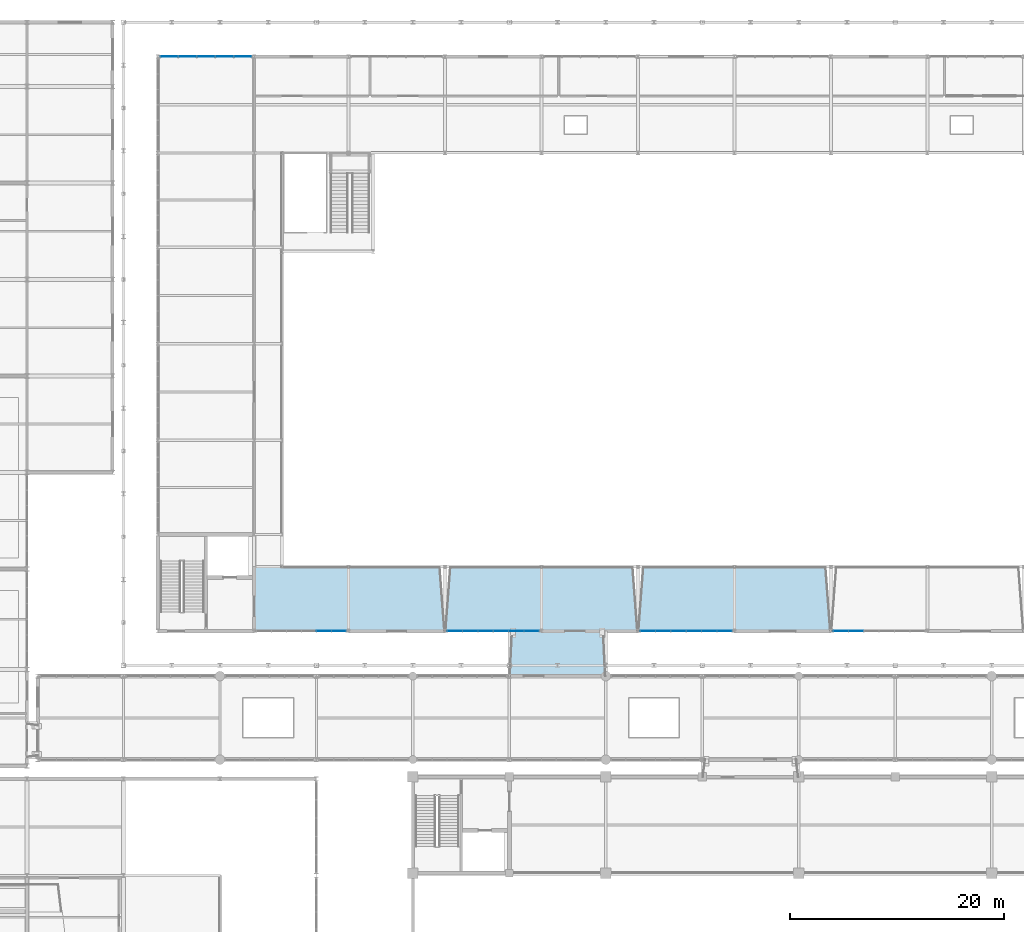
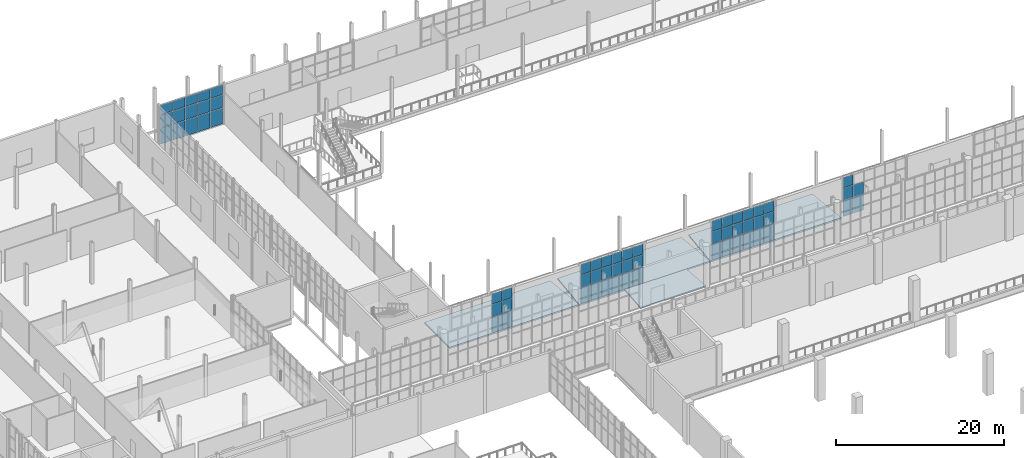
# One storey, part 105 of 159: 62 plates, 4 slabs, 5 elements without a shape of their own.
"""IFC4 building model written with IfcOpenShell, lengths in metres."""

from ifc_helpers import new_model, si_unit, direction, frame, origin, origin_2d, place, context, subcontext, project, spatial, polyline, rectangle, outline, extrude, material, layer, layer_set, type_object, element, aggregate, save


model = new_model("IFC4")

# Units and contexts
model_context = context("Model", 3, precision=1e-05, world=origin(), true_north=direction((0.0, 1.0)))
body_context = subcontext(model_context, "Body", "Model", "MODEL_VIEW")
ifc_project = project(units=[si_unit("LENGTHUNIT", "METRE"), si_unit("AREAUNIT", "SQUARE_METRE"), si_unit("VOLUMEUNIT", "CUBIC_METRE"), si_unit("PLANEANGLEUNIT", "RADIAN"), si_unit("MASSUNIT", "GRAM", prefix="KILO")], contexts=[model_context])

# Site, building, storey
site_placement = place(None, origin())
site = spatial("IfcSite", under=ifc_project, at=site_placement, CompositionType="ELEMENT")
building_placement = place(site_placement, origin())
building = spatial("IfcBuilding", under=site, at=building_placement, Name="Cazmaro Siding Exhibition Halls", CompositionType="ELEMENT")
storey_placement = place(building_placement, frame((0.0, 0.0, 6.0)))
storey = spatial("IfcBuildingStorey", under=building, at=storey_placement, Name="L01", CompositionType="ELEMENT", Elevation=6.0)

# Curtain wall, plates
ifc_material_1 = material(Name="Anodized Bronze Aluminum and Solar-Control Low-E Glazing", Category="aluminium")
ifc_layer_1 = layer(ifc_material_1, 0.179931640625)
ifc_layer_set_1 = layer_set([ifc_layer_1], Name="Anodized Bronze Aluminum and Solar-Control Low-E Glazing")
curtain_wall_type_1 = type_object("IfcCurtainWallType", Name="CWS-01", PredefinedType="USERDEFINED", material=ifc_layer_set_1)
curtain_wall_1_placement = place(storey_placement, origin())
curtain_wall_1 = element("IfcCurtainWall", 1, at=curtain_wall_1_placement, inside=storey, type_object=curtain_wall_type_1, Name="Glazed Curtain Wall CWS-01 CW-004", ObjectType="GLAZED CURTAIN WALL", PredefinedType="USERDEFINED")
ifc_material_2 = material(Name="Solar-Control Low-E Double Insulating Glass", Category="glass")
ifc_layer_2 = layer(ifc_material_2, 0.02392578125)
ifc_layer_set_2 = layer_set([ifc_layer_2], Name="Solar-Control Low-E Double Insulating Glass")
plate_type_1 = type_object("IfcPlateType", Name="CWP-01", PredefinedType="CURTAIN_PANEL", material=ifc_layer_set_2)
plate_1_placement = place(storey_placement, frame((63.701416015625, 67.199951171875, 0.06005859375), z_axis=(0.0, 0.0, 1.0), x_axis=(1.0, 0.0, 0.0)))
plate_1 = element("IfcPlate", 2, at=plate_1_placement, type_object=plate_type_1, Name="CWS-01 panel 5.1", PredefinedType="CURTAIN_PANEL", context=body_context, shape_type="SweptSolid", body=[
    extrude(rectangle(XDim=1.341064453125, YDim=0.02392578125, at=origin_2d()), origin(), (0.0, 0.0, 1.0), 2.31005859375),
])
plate_2_placement = place(storey_placement, frame((63.701416015625, 67.199951171875, 2.43017578125), z_axis=(0.0, 0.0, 1.0), x_axis=(1.0, 0.0, 0.0)))
plate_2 = element("IfcPlate", 3, at=plate_2_placement, type_object=plate_type_1, Name="CWS-01 panel 5.2", PredefinedType="CURTAIN_PANEL", context=body_context, shape_type="SweptSolid", body=[
    extrude(rectangle(XDim=1.341064453125, YDim=0.02392578125, at=origin_2d()), origin(), (0.0, 0.0, 1.0), 1.739990234375),
])
plate_3_placement = place(storey_placement, frame((63.701416015625, 67.199951171875, 4.22998046875), z_axis=(0.0, 0.0, 1.0), x_axis=(1.0, 0.0, 0.0)))
plate_3 = element("IfcPlate", 4, at=plate_3_placement, type_object=plate_type_1, Name="CWS-01 panel 5.3", PredefinedType="CURTAIN_PANEL", context=body_context, shape_type="SweptSolid", body=[
    extrude(rectangle(XDim=1.341064453125, YDim=0.02392578125, at=origin_2d()), origin(), (0.0, 0.0, 1.0), 1.489990234375),
])
plate_4_placement = place(storey_placement, frame((65.08740234375, 67.199951171875, 0.06005859375), z_axis=(0.0, 0.0, 1.0), x_axis=(1.0, 0.0, 0.0)))
plate_4 = element("IfcPlate", 5, at=plate_4_placement, type_object=plate_type_1, Name="CWS-01 panel 6.1", PredefinedType="CURTAIN_PANEL", context=body_context, shape_type="SweptSolid", body=[
    extrude(rectangle(XDim=1.31103515625, YDim=0.02392578125, at=origin_2d()), origin(), (0.0, 0.0, 1.0), 2.31005859375),
])
plate_5_placement = place(storey_placement, frame((65.08740234375, 67.199951171875, 2.43017578125), z_axis=(0.0, 0.0, 1.0), x_axis=(1.0, 0.0, 0.0)))
plate_5 = element("IfcPlate", 6, at=plate_5_placement, type_object=plate_type_1, Name="CWS-01 panel 6.2", PredefinedType="CURTAIN_PANEL", context=body_context, shape_type="SweptSolid", body=[
    extrude(rectangle(XDim=1.31103515625, YDim=0.02392578125, at=origin_2d()), origin(), (0.0, 0.0, 1.0), 1.739990234375),
])
plate_6_placement = place(storey_placement, frame((65.08740234375, 67.199951171875, 4.22998046875), z_axis=(0.0, 0.0, 1.0), x_axis=(1.0, 0.0, 0.0)))
plate_6 = element("IfcPlate", 7, at=plate_6_placement, type_object=plate_type_1, Name="CWS-01 panel 6.3", PredefinedType="CURTAIN_PANEL", context=body_context, shape_type="SweptSolid", body=[
    extrude(rectangle(XDim=1.31103515625, YDim=0.02392578125, at=origin_2d()), origin(), (0.0, 0.0, 1.0), 1.489990234375),
])
aggregate(curtain_wall_1, [plate_1, plate_2, plate_3, plate_4, plate_5, plate_6])

curtain_wall_2_placement = place(storey_placement, origin())
curtain_wall_2 = element("IfcCurtainWall", 8, at=curtain_wall_2_placement, inside=storey, type_object=curtain_wall_type_1, Name="Glazed Curtain Wall CWS-01 CW-012", ObjectType="GLAZED CURTAIN WALL", PredefinedType="USERDEFINED")
plate_7_placement = place(storey_placement, frame((75.92919921875, 67.199951171875, 0.06005859375), z_axis=(0.0, 0.0, 1.0), x_axis=(1.0, 0.0, 0.0)))
plate_7 = element("IfcPlate", 9, at=plate_7_placement, type_object=plate_type_1, Name="CWS-01 panel 1.1", PredefinedType="CURTAIN_PANEL", context=body_context, shape_type="SweptSolid", body=[
    extrude(rectangle(XDim=1.34423828125, YDim=0.02392578125, at=origin_2d()), origin(), (0.0, 0.0, 1.0), 2.31005859375),
])
plate_8_placement = place(storey_placement, frame((75.92919921875, 67.199951171875, 2.43017578125), z_axis=(0.0, 0.0, 1.0), x_axis=(1.0, 0.0, 0.0)))
plate_8 = element("IfcPlate", 10, at=plate_8_placement, type_object=plate_type_1, Name="CWS-01 panel 1.2", PredefinedType="CURTAIN_PANEL", context=body_context, shape_type="SweptSolid", body=[
    extrude(rectangle(XDim=1.34423828125, YDim=0.02392578125, at=origin_2d()), origin(), (0.0, 0.0, 1.0), 1.739990234375),
])
plate_9_placement = place(storey_placement, frame((75.92919921875, 67.199951171875, 4.22998046875), z_axis=(0.0, 0.0, 1.0), x_axis=(1.0, 0.0, 0.0)))
plate_9 = element("IfcPlate", 11, at=plate_9_placement, type_object=plate_type_1, Name="CWS-01 panel 1.3", PredefinedType="CURTAIN_PANEL", context=body_context, shape_type="SweptSolid", body=[
    extrude(rectangle(XDim=1.34423828125, YDim=0.02392578125, at=origin_2d()), origin(), (0.0, 0.0, 1.0), 1.489990234375),
])
plate_10_placement = place(storey_placement, frame((77.348388671875, 67.199951171875, 0.06005859375), z_axis=(0.0, 0.0, 1.0), x_axis=(1.0, 0.0, 0.0)))
plate_10 = element("IfcPlate", 12, at=plate_10_placement, type_object=plate_type_1, Name="CWS-01 panel 2.1", PredefinedType="CURTAIN_PANEL", context=body_context, shape_type="SweptSolid", body=[
    extrude(rectangle(XDim=1.374267578125, YDim=0.02392578125, at=origin_2d()), origin(), (0.0, 0.0, 1.0), 2.31005859375),
])
plate_11_placement = place(storey_placement, frame((77.348388671875, 67.199951171875, 2.43017578125), z_axis=(0.0, 0.0, 1.0), x_axis=(1.0, 0.0, 0.0)))
plate_11 = element("IfcPlate", 13, at=plate_11_placement, type_object=plate_type_1, Name="CWS-01 panel 2.2", PredefinedType="CURTAIN_PANEL", context=body_context, shape_type="SweptSolid", body=[
    extrude(rectangle(XDim=1.374267578125, YDim=0.02392578125, at=origin_2d()), origin(), (0.0, 0.0, 1.0), 1.739990234375),
])
plate_12_placement = place(storey_placement, frame((77.348388671875, 67.199951171875, 4.22998046875), z_axis=(0.0, 0.0, 1.0), x_axis=(1.0, 0.0, 0.0)))
plate_12 = element("IfcPlate", 14, at=plate_12_placement, type_object=plate_type_1, Name="CWS-01 panel 2.3", PredefinedType="CURTAIN_PANEL", context=body_context, shape_type="SweptSolid", body=[
    extrude(rectangle(XDim=1.374267578125, YDim=0.02392578125, at=origin_2d()), origin(), (0.0, 0.0, 1.0), 1.489990234375),
])
plate_13_placement = place(storey_placement, frame((78.78271484375, 67.199951171875, 0.06005859375), z_axis=(0.0, 0.0, 1.0), x_axis=(1.0, 0.0, 0.0)))
plate_13 = element("IfcPlate", 15, at=plate_13_placement, type_object=plate_type_1, Name="CWS-01 panel 3.1", PredefinedType="CURTAIN_PANEL", context=body_context, shape_type="SweptSolid", body=[
    extrude(rectangle(XDim=1.374267578125, YDim=0.02392578125, at=origin_2d()), origin(), (0.0, 0.0, 1.0), 2.31005859375),
])
plate_14_placement = place(storey_placement, frame((78.78271484375, 67.199951171875, 2.43017578125), z_axis=(0.0, 0.0, 1.0), x_axis=(1.0, 0.0, 0.0)))
plate_14 = element("IfcPlate", 16, at=plate_14_placement, type_object=plate_type_1, Name="CWS-01 panel 3.2", PredefinedType="CURTAIN_PANEL", context=body_context, shape_type="SweptSolid", body=[
    extrude(rectangle(XDim=1.374267578125, YDim=0.02392578125, at=origin_2d()), origin(), (0.0, 0.0, 1.0), 1.739990234375),
])
plate_15_placement = place(storey_placement, frame((78.78271484375, 67.199951171875, 4.22998046875), z_axis=(0.0, 0.0, 1.0), x_axis=(1.0, 0.0, 0.0)))
plate_15 = element("IfcPlate", 17, at=plate_15_placement, type_object=plate_type_1, Name="CWS-01 panel 3.3", PredefinedType="CURTAIN_PANEL", context=body_context, shape_type="SweptSolid", body=[
    extrude(rectangle(XDim=1.374267578125, YDim=0.02392578125, at=origin_2d()), origin(), (0.0, 0.0, 1.0), 1.489990234375),
])
plate_16_placement = place(storey_placement, frame((80.21728515625, 67.199951171875, 0.06005859375), z_axis=(0.0, 0.0, 1.0), x_axis=(1.0, 0.0, 0.0)))
plate_16 = element("IfcPlate", 18, at=plate_16_placement, type_object=plate_type_1, Name="CWS-01 panel 4.1", PredefinedType="CURTAIN_PANEL", context=body_context, shape_type="SweptSolid", body=[
    extrude(rectangle(XDim=1.374267578125, YDim=0.02392578125, at=origin_2d()), origin(), (0.0, 0.0, 1.0), 2.31005859375),
])
plate_17_placement = place(storey_placement, frame((80.21728515625, 67.199951171875, 2.43017578125), z_axis=(0.0, 0.0, 1.0), x_axis=(1.0, 0.0, 0.0)))
plate_17 = element("IfcPlate", 19, at=plate_17_placement, type_object=plate_type_1, Name="CWS-01 panel 4.2", PredefinedType="CURTAIN_PANEL", context=body_context, shape_type="SweptSolid", body=[
    extrude(rectangle(XDim=1.374267578125, YDim=0.02392578125, at=origin_2d()), origin(), (0.0, 0.0, 1.0), 1.739990234375),
])
plate_18_placement = place(storey_placement, frame((80.21728515625, 67.199951171875, 4.22998046875), z_axis=(0.0, 0.0, 1.0), x_axis=(1.0, 0.0, 0.0)))
plate_18 = element("IfcPlate", 20, at=plate_18_placement, type_object=plate_type_1, Name="CWS-01 panel 4.3", PredefinedType="CURTAIN_PANEL", context=body_context, shape_type="SweptSolid", body=[
    extrude(rectangle(XDim=1.374267578125, YDim=0.02392578125, at=origin_2d()), origin(), (0.0, 0.0, 1.0), 1.489990234375),
])
plate_19_placement = place(storey_placement, frame((81.651611328125, 67.199951171875, 0.06005859375), z_axis=(0.0, 0.0, 1.0), x_axis=(1.0, 0.0, 0.0)))
plate_19 = element("IfcPlate", 21, at=plate_19_placement, type_object=plate_type_1, Name="CWS-01 panel 5.1", PredefinedType="CURTAIN_PANEL", context=body_context, shape_type="SweptSolid", body=[
    extrude(rectangle(XDim=1.374267578125, YDim=0.02392578125, at=origin_2d()), origin(), (0.0, 0.0, 1.0), 2.31005859375),
])
plate_20_placement = place(storey_placement, frame((81.651611328125, 67.199951171875, 2.43017578125), z_axis=(0.0, 0.0, 1.0), x_axis=(1.0, 0.0, 0.0)))
plate_20 = element("IfcPlate", 22, at=plate_20_placement, type_object=plate_type_1, Name="CWS-01 panel 5.2", PredefinedType="CURTAIN_PANEL", context=body_context, shape_type="SweptSolid", body=[
    extrude(rectangle(XDim=1.374267578125, YDim=0.02392578125, at=origin_2d()), origin(), (0.0, 0.0, 1.0), 1.739990234375),
])
plate_21_placement = place(storey_placement, frame((81.651611328125, 67.199951171875, 4.22998046875), z_axis=(0.0, 0.0, 1.0), x_axis=(1.0, 0.0, 0.0)))
plate_21 = element("IfcPlate", 23, at=plate_21_placement, type_object=plate_type_1, Name="CWS-01 panel 5.3", PredefinedType="CURTAIN_PANEL", context=body_context, shape_type="SweptSolid", body=[
    extrude(rectangle(XDim=1.374267578125, YDim=0.02392578125, at=origin_2d()), origin(), (0.0, 0.0, 1.0), 1.489990234375),
])
plate_22_placement = place(storey_placement, frame((83.07080078125, 67.199951171875, 0.06005859375), z_axis=(0.0, 0.0, 1.0), x_axis=(1.0, 0.0, 0.0)))
plate_22 = element("IfcPlate", 24, at=plate_22_placement, type_object=plate_type_1, Name="CWS-01 panel 6.1", PredefinedType="CURTAIN_PANEL", context=body_context, shape_type="SweptSolid", body=[
    extrude(rectangle(XDim=1.34423828125, YDim=0.02392578125, at=origin_2d()), origin(), (0.0, 0.0, 1.0), 2.31005859375),
])
plate_23_placement = place(storey_placement, frame((83.07080078125, 67.199951171875, 2.43017578125), z_axis=(0.0, 0.0, 1.0), x_axis=(1.0, 0.0, 0.0)))
plate_23 = element("IfcPlate", 25, at=plate_23_placement, type_object=plate_type_1, Name="CWS-01 panel 6.2", PredefinedType="CURTAIN_PANEL", context=body_context, shape_type="SweptSolid", body=[
    extrude(rectangle(XDim=1.34423828125, YDim=0.02392578125, at=origin_2d()), origin(), (0.0, 0.0, 1.0), 1.739990234375),
])
plate_24_placement = place(storey_placement, frame((83.07080078125, 67.199951171875, 4.22998046875), z_axis=(0.0, 0.0, 1.0), x_axis=(1.0, 0.0, 0.0)))
plate_24 = element("IfcPlate", 26, at=plate_24_placement, type_object=plate_type_1, Name="CWS-01 panel 6.3", PredefinedType="CURTAIN_PANEL", context=body_context, shape_type="SweptSolid", body=[
    extrude(rectangle(XDim=1.34423828125, YDim=0.02392578125, at=origin_2d()), origin(), (0.0, 0.0, 1.0), 1.489990234375),
])
aggregate(curtain_wall_2, [plate_7, plate_8, plate_9, plate_10, plate_11, plate_12, plate_13, plate_14, plate_15, plate_16, plate_17, plate_18, plate_19, plate_20, plate_21, plate_22, plate_23, plate_24])

curtain_wall_3_placement = place(storey_placement, origin())
curtain_wall_3 = element("IfcCurtainWall", 27, at=curtain_wall_3_placement, inside=storey, type_object=curtain_wall_type_1, Name="Glazed Curtain Wall CWS-01 CW-020", ObjectType="GLAZED CURTAIN WALL", PredefinedType="USERDEFINED")
plate_25_placement = place(storey_placement, frame((93.92919921875, 67.199951171875, 0.06005859375), z_axis=(0.0, 0.0, 1.0), x_axis=(1.0, 0.0, 0.0)))
plate_25 = element("IfcPlate", 28, at=plate_25_placement, type_object=plate_type_1, Name="CWS-01 panel 1.1", PredefinedType="CURTAIN_PANEL", context=body_context, shape_type="SweptSolid", body=[
    extrude(rectangle(XDim=1.34423828125, YDim=0.02392578125, at=origin_2d()), origin(), (0.0, 0.0, 1.0), 2.31005859375),
])
plate_26_placement = place(storey_placement, frame((93.92919921875, 67.199951171875, 2.43017578125), z_axis=(0.0, 0.0, 1.0), x_axis=(1.0, 0.0, 0.0)))
plate_26 = element("IfcPlate", 29, at=plate_26_placement, type_object=plate_type_1, Name="CWS-01 panel 1.2", PredefinedType="CURTAIN_PANEL", context=body_context, shape_type="SweptSolid", body=[
    extrude(rectangle(XDim=1.34423828125, YDim=0.02392578125, at=origin_2d()), origin(), (0.0, 0.0, 1.0), 1.739990234375),
])
plate_27_placement = place(storey_placement, frame((93.92919921875, 67.199951171875, 4.22998046875), z_axis=(0.0, 0.0, 1.0), x_axis=(1.0, 0.0, 0.0)))
plate_27 = element("IfcPlate", 30, at=plate_27_placement, type_object=plate_type_1, Name="CWS-01 panel 1.3", PredefinedType="CURTAIN_PANEL", context=body_context, shape_type="SweptSolid", body=[
    extrude(rectangle(XDim=1.34423828125, YDim=0.02392578125, at=origin_2d()), origin(), (0.0, 0.0, 1.0), 1.489990234375),
])
plate_28_placement = place(storey_placement, frame((95.348388671875, 67.199951171875, 0.06005859375), z_axis=(0.0, 0.0, 1.0), x_axis=(1.0, 0.0, 0.0)))
plate_28 = element("IfcPlate", 31, at=plate_28_placement, type_object=plate_type_1, Name="CWS-01 panel 2.1", PredefinedType="CURTAIN_PANEL", context=body_context, shape_type="SweptSolid", body=[
    extrude(rectangle(XDim=1.374267578125, YDim=0.02392578125, at=origin_2d()), origin(), (0.0, 0.0, 1.0), 2.31005859375),
])
plate_29_placement = place(storey_placement, frame((95.348388671875, 67.199951171875, 2.43017578125), z_axis=(0.0, 0.0, 1.0), x_axis=(1.0, 0.0, 0.0)))
plate_29 = element("IfcPlate", 32, at=plate_29_placement, type_object=plate_type_1, Name="CWS-01 panel 2.2", PredefinedType="CURTAIN_PANEL", context=body_context, shape_type="SweptSolid", body=[
    extrude(rectangle(XDim=1.374267578125, YDim=0.02392578125, at=origin_2d()), origin(), (0.0, 0.0, 1.0), 1.739990234375),
])
plate_30_placement = place(storey_placement, frame((95.348388671875, 67.199951171875, 4.22998046875), z_axis=(0.0, 0.0, 1.0), x_axis=(1.0, 0.0, 0.0)))
plate_30 = element("IfcPlate", 33, at=plate_30_placement, type_object=plate_type_1, Name="CWS-01 panel 2.3", PredefinedType="CURTAIN_PANEL", context=body_context, shape_type="SweptSolid", body=[
    extrude(rectangle(XDim=1.374267578125, YDim=0.02392578125, at=origin_2d()), origin(), (0.0, 0.0, 1.0), 1.489990234375),
])
plate_31_placement = place(storey_placement, frame((96.78271484375, 67.199951171875, 0.06005859375), z_axis=(0.0, 0.0, 1.0), x_axis=(1.0, 0.0, 0.0)))
plate_31 = element("IfcPlate", 34, at=plate_31_placement, type_object=plate_type_1, Name="CWS-01 panel 3.1", PredefinedType="CURTAIN_PANEL", context=body_context, shape_type="SweptSolid", body=[
    extrude(rectangle(XDim=1.374267578125, YDim=0.02392578125, at=origin_2d()), origin(), (0.0, 0.0, 1.0), 2.31005859375),
])
plate_32_placement = place(storey_placement, frame((96.78271484375, 67.199951171875, 2.43017578125), z_axis=(0.0, 0.0, 1.0), x_axis=(1.0, 0.0, 0.0)))
plate_32 = element("IfcPlate", 35, at=plate_32_placement, type_object=plate_type_1, Name="CWS-01 panel 3.2", PredefinedType="CURTAIN_PANEL", context=body_context, shape_type="SweptSolid", body=[
    extrude(rectangle(XDim=1.374267578125, YDim=0.02392578125, at=origin_2d()), origin(), (0.0, 0.0, 1.0), 1.739990234375),
])
plate_33_placement = place(storey_placement, frame((96.78271484375, 67.199951171875, 4.22998046875), z_axis=(0.0, 0.0, 1.0), x_axis=(1.0, 0.0, 0.0)))
plate_33 = element("IfcPlate", 36, at=plate_33_placement, type_object=plate_type_1, Name="CWS-01 panel 3.3", PredefinedType="CURTAIN_PANEL", context=body_context, shape_type="SweptSolid", body=[
    extrude(rectangle(XDim=1.374267578125, YDim=0.02392578125, at=origin_2d()), origin(), (0.0, 0.0, 1.0), 1.489990234375),
])
plate_34_placement = place(storey_placement, frame((98.21728515625, 67.199951171875, 0.06005859375), z_axis=(0.0, 0.0, 1.0), x_axis=(1.0, 0.0, 0.0)))
plate_34 = element("IfcPlate", 37, at=plate_34_placement, type_object=plate_type_1, Name="CWS-01 panel 4.1", PredefinedType="CURTAIN_PANEL", context=body_context, shape_type="SweptSolid", body=[
    extrude(rectangle(XDim=1.374267578125, YDim=0.02392578125, at=origin_2d()), origin(), (0.0, 0.0, 1.0), 2.31005859375),
])
plate_35_placement = place(storey_placement, frame((98.21728515625, 67.199951171875, 2.43017578125), z_axis=(0.0, 0.0, 1.0), x_axis=(1.0, 0.0, 0.0)))
plate_35 = element("IfcPlate", 38, at=plate_35_placement, type_object=plate_type_1, Name="CWS-01 panel 4.2", PredefinedType="CURTAIN_PANEL", context=body_context, shape_type="SweptSolid", body=[
    extrude(rectangle(XDim=1.374267578125, YDim=0.02392578125, at=origin_2d()), origin(), (0.0, 0.0, 1.0), 1.739990234375),
])
plate_36_placement = place(storey_placement, frame((98.21728515625, 67.199951171875, 4.22998046875), z_axis=(0.0, 0.0, 1.0), x_axis=(1.0, 0.0, 0.0)))
plate_36 = element("IfcPlate", 39, at=plate_36_placement, type_object=plate_type_1, Name="CWS-01 panel 4.3", PredefinedType="CURTAIN_PANEL", context=body_context, shape_type="SweptSolid", body=[
    extrude(rectangle(XDim=1.374267578125, YDim=0.02392578125, at=origin_2d()), origin(), (0.0, 0.0, 1.0), 1.489990234375),
])
plate_37_placement = place(storey_placement, frame((99.651611328125, 67.199951171875, 0.06005859375), z_axis=(0.0, 0.0, 1.0), x_axis=(1.0, 0.0, 0.0)))
plate_37 = element("IfcPlate", 40, at=plate_37_placement, type_object=plate_type_1, Name="CWS-01 panel 5.1", PredefinedType="CURTAIN_PANEL", context=body_context, shape_type="SweptSolid", body=[
    extrude(rectangle(XDim=1.374267578125, YDim=0.02392578125, at=origin_2d()), origin(), (0.0, 0.0, 1.0), 2.31005859375),
])
plate_38_placement = place(storey_placement, frame((99.651611328125, 67.199951171875, 2.43017578125), z_axis=(0.0, 0.0, 1.0), x_axis=(1.0, 0.0, 0.0)))
plate_38 = element("IfcPlate", 41, at=plate_38_placement, type_object=plate_type_1, Name="CWS-01 panel 5.2", PredefinedType="CURTAIN_PANEL", context=body_context, shape_type="SweptSolid", body=[
    extrude(rectangle(XDim=1.374267578125, YDim=0.02392578125, at=origin_2d()), origin(), (0.0, 0.0, 1.0), 1.739990234375),
])
plate_39_placement = place(storey_placement, frame((99.651611328125, 67.199951171875, 4.22998046875), z_axis=(0.0, 0.0, 1.0), x_axis=(1.0, 0.0, 0.0)))
plate_39 = element("IfcPlate", 42, at=plate_39_placement, type_object=plate_type_1, Name="CWS-01 panel 5.3", PredefinedType="CURTAIN_PANEL", context=body_context, shape_type="SweptSolid", body=[
    extrude(rectangle(XDim=1.374267578125, YDim=0.02392578125, at=origin_2d()), origin(), (0.0, 0.0, 1.0), 1.489990234375),
])
plate_40_placement = place(storey_placement, frame((101.07080078125, 67.199951171875, 0.06005859375), z_axis=(0.0, 0.0, 1.0), x_axis=(1.0, 0.0, 0.0)))
plate_40 = element("IfcPlate", 43, at=plate_40_placement, type_object=plate_type_1, Name="CWS-01 panel 6.1", PredefinedType="CURTAIN_PANEL", context=body_context, shape_type="SweptSolid", body=[
    extrude(rectangle(XDim=1.34423828125, YDim=0.02392578125, at=origin_2d()), origin(), (0.0, 0.0, 1.0), 2.31005859375),
])
plate_41_placement = place(storey_placement, frame((101.07080078125, 67.199951171875, 2.43017578125), z_axis=(0.0, 0.0, 1.0), x_axis=(1.0, 0.0, 0.0)))
plate_41 = element("IfcPlate", 44, at=plate_41_placement, type_object=plate_type_1, Name="CWS-01 panel 6.2", PredefinedType="CURTAIN_PANEL", context=body_context, shape_type="SweptSolid", body=[
    extrude(rectangle(XDim=1.34423828125, YDim=0.02392578125, at=origin_2d()), origin(), (0.0, 0.0, 1.0), 1.739990234375),
])
plate_42_placement = place(storey_placement, frame((101.07080078125, 67.199951171875, 4.22998046875), z_axis=(0.0, 0.0, 1.0), x_axis=(1.0, 0.0, 0.0)))
plate_42 = element("IfcPlate", 45, at=plate_42_placement, type_object=plate_type_1, Name="CWS-01 panel 6.3", PredefinedType="CURTAIN_PANEL", context=body_context, shape_type="SweptSolid", body=[
    extrude(rectangle(XDim=1.34423828125, YDim=0.02392578125, at=origin_2d()), origin(), (0.0, 0.0, 1.0), 1.489990234375),
])
aggregate(curtain_wall_3, [plate_25, plate_26, plate_27, plate_28, plate_29, plate_30, plate_31, plate_32, plate_33, plate_34, plate_35, plate_36, plate_37, plate_38, plate_39, plate_40, plate_41, plate_42])

curtain_wall_4_placement = place(storey_placement, origin())
curtain_wall_4 = element("IfcCurtainWall", 46, at=curtain_wall_4_placement, inside=storey, type_object=curtain_wall_type_1, Name="Glazed Curtain Wall CWS-01 CW-028", ObjectType="GLAZED CURTAIN WALL", PredefinedType="USERDEFINED")
plate_43_placement = place(storey_placement, frame((111.92919921875, 67.199951171875, 0.06005859375), z_axis=(0.0, 0.0, 1.0), x_axis=(1.0, 0.0, 0.0)))
plate_43 = element("IfcPlate", 47, at=plate_43_placement, type_object=plate_type_1, Name="CWS-01 panel 1.1", PredefinedType="CURTAIN_PANEL", context=body_context, shape_type="SweptSolid", body=[
    extrude(rectangle(XDim=1.34423828125, YDim=0.02392578125, at=origin_2d()), origin(), (0.0, 0.0, 1.0), 2.31005859375),
])
plate_44_placement = place(storey_placement, frame((111.92919921875, 67.199951171875, 2.43017578125), z_axis=(0.0, 0.0, 1.0), x_axis=(1.0, 0.0, 0.0)))
plate_44 = element("IfcPlate", 48, at=plate_44_placement, type_object=plate_type_1, Name="CWS-01 panel 1.2", PredefinedType="CURTAIN_PANEL", context=body_context, shape_type="SweptSolid", body=[
    extrude(rectangle(XDim=1.34423828125, YDim=0.02392578125, at=origin_2d()), origin(), (0.0, 0.0, 1.0), 1.739990234375),
])
plate_45_placement = place(storey_placement, frame((111.92919921875, 67.199951171875, 4.22998046875), z_axis=(0.0, 0.0, 1.0), x_axis=(1.0, 0.0, 0.0)))
plate_45 = element("IfcPlate", 49, at=plate_45_placement, type_object=plate_type_1, Name="CWS-01 panel 1.3", PredefinedType="CURTAIN_PANEL", context=body_context, shape_type="SweptSolid", body=[
    extrude(rectangle(XDim=1.34423828125, YDim=0.02392578125, at=origin_2d()), origin(), (0.0, 0.0, 1.0), 1.489990234375),
])
plate_46_placement = place(storey_placement, frame((113.348388671875, 67.199951171875, 0.06005859375), z_axis=(0.0, 0.0, 1.0), x_axis=(1.0, 0.0, 0.0)))
plate_46 = element("IfcPlate", 50, at=plate_46_placement, type_object=plate_type_1, Name="CWS-01 panel 2.1", PredefinedType="CURTAIN_PANEL", context=body_context, shape_type="SweptSolid", body=[
    extrude(rectangle(XDim=1.374267578125, YDim=0.02392578125, at=origin_2d()), origin(), (0.0, 0.0, 1.0), 2.31005859375),
])
plate_47_placement = place(storey_placement, frame((113.348388671875, 67.199951171875, 2.43017578125), z_axis=(0.0, 0.0, 1.0), x_axis=(1.0, 0.0, 0.0)))
plate_47 = element("IfcPlate", 51, at=plate_47_placement, type_object=plate_type_1, Name="CWS-01 panel 2.2", PredefinedType="CURTAIN_PANEL", context=body_context, shape_type="SweptSolid", body=[
    extrude(rectangle(XDim=1.374267578125, YDim=0.02392578125, at=origin_2d()), origin(), (0.0, 0.0, 1.0), 1.739990234375),
])
aggregate(curtain_wall_4, [plate_43, plate_44, plate_45, plate_46, plate_47])

ifc_material_3 = material(Name="Anodized Bronze Aluminum and Solar-Control Low-E Glazing", Category="aluminium")
ifc_layer_3 = layer(ifc_material_3, 0.199951171875)
ifc_layer_set_3 = layer_set([ifc_layer_3], Name="Anodized Bronze Aluminum and Solar-Control Low-E Glazing")
curtain_wall_type_2 = type_object("IfcCurtainWallType", Name="CWS-02", PredefinedType="USERDEFINED", material=ifc_layer_set_3)
curtain_wall_5_placement = place(storey_placement, origin())
curtain_wall_5 = element("IfcCurtainWall", 52, at=curtain_wall_5_placement, inside=storey, type_object=curtain_wall_type_2, Name="Glazed Curtain Wall CWS-02 CW-001", ObjectType="GLAZED CURTAIN WALL", PredefinedType="USERDEFINED")
ifc_material_4 = material(Name="Solar-Control Low-E Double Insulating Glass", Category="glass")
ifc_layer_4 = layer(ifc_material_4, 0.035888671875)
ifc_layer_set_4 = layer_set([ifc_layer_4], Name="Solar-Control Low-E Double Insulating Glass")
plate_type_2 = type_object("IfcPlateType", Name="CWP-02", PredefinedType="CURTAIN_PANEL", material=ifc_layer_set_4)
plate_48_placement = place(storey_placement, frame((56.126220703125, 120.800048828125, 0.06494140625), z_axis=(0.0, 0.0, 1.0), x_axis=(-1.0, 0.0, 0.0)))
plate_48 = element("IfcPlate", 53, at=plate_48_placement, type_object=plate_type_2, Name="CWS-02 panel 1.1", PredefinedType="CURTAIN_PANEL", context=body_context, shape_type="SweptSolid", body=[
    extrude(rectangle(XDim=1.623779296875, YDim=0.035888671875, at=origin_2d()), origin(), (0.0, 0.0, 1.0), 2.302490234375),
])
plate_49_placement = place(storey_placement, frame((56.126220703125, 120.800048828125, 2.4326171875), z_axis=(0.0, 0.0, 1.0), x_axis=(-1.0, 0.0, 0.0)))
plate_49 = element("IfcPlate", 54, at=plate_49_placement, type_object=plate_type_2, Name="CWS-02 panel 1.2", PredefinedType="CURTAIN_PANEL", context=body_context, shape_type="SweptSolid", body=[
    extrude(rectangle(XDim=1.623779296875, YDim=0.035888671875, at=origin_2d()), origin(), (0.0, 0.0, 1.0), 1.8349609375),
])
plate_50_placement = place(storey_placement, frame((56.126220703125, 120.800048828125, 4.33251953125), z_axis=(0.0, 0.0, 1.0), x_axis=(-1.0, 0.0, 0.0)))
plate_50 = element("IfcPlate", 55, at=plate_50_placement, type_object=plate_type_2, Name="CWS-02 panel 1.3", PredefinedType="CURTAIN_PANEL", context=body_context, shape_type="SweptSolid", body=[
    extrude(rectangle(XDim=1.623779296875, YDim=0.035888671875, at=origin_2d()), origin(), (0.0, 0.0, 1.0), 1.382568359375),
])
plate_51_placement = place(storey_placement, frame((54.421142578125, 120.800048828125, 0.06494140625), z_axis=(0.0, 0.0, 1.0), x_axis=(-1.0, 0.0, 0.0)))
plate_51 = element("IfcPlate", 56, at=plate_51_placement, type_object=plate_type_2, Name="CWS-02 panel 2.1", PredefinedType="CURTAIN_PANEL", context=body_context, shape_type="SweptSolid", body=[
    extrude(rectangle(XDim=1.65625, YDim=0.035888671875, at=origin_2d()), origin(), (0.0, 0.0, 1.0), 2.302490234375),
])
plate_52_placement = place(storey_placement, frame((54.421142578125, 120.800048828125, 2.4326171875), z_axis=(0.0, 0.0, 1.0), x_axis=(-1.0, 0.0, 0.0)))
plate_52 = element("IfcPlate", 57, at=plate_52_placement, type_object=plate_type_2, Name="CWS-02 panel 2.2", PredefinedType="CURTAIN_PANEL", context=body_context, shape_type="SweptSolid", body=[
    extrude(rectangle(XDim=1.65625, YDim=0.035888671875, at=origin_2d()), origin(), (0.0, 0.0, 1.0), 1.8349609375),
])
plate_53_placement = place(storey_placement, frame((54.421142578125, 120.800048828125, 4.33251953125), z_axis=(0.0, 0.0, 1.0), x_axis=(-1.0, 0.0, 0.0)))
plate_53 = element("IfcPlate", 58, at=plate_53_placement, type_object=plate_type_2, Name="CWS-02 panel 2.3", PredefinedType="CURTAIN_PANEL", context=body_context, shape_type="SweptSolid", body=[
    extrude(rectangle(XDim=1.65625, YDim=0.035888671875, at=origin_2d()), origin(), (0.0, 0.0, 1.0), 1.382568359375),
])
plate_54_placement = place(storey_placement, frame((52.699951171875, 120.800048828125, 0.06494140625), z_axis=(0.0, 0.0, 1.0), x_axis=(-1.0, 0.0, 0.0)))
plate_54 = element("IfcPlate", 59, at=plate_54_placement, type_object=plate_type_2, Name="CWS-02 panel 3.1", PredefinedType="CURTAIN_PANEL", context=body_context, shape_type="SweptSolid", body=[
    extrude(rectangle(XDim=1.65625, YDim=0.035888671875, at=origin_2d()), origin(), (0.0, 0.0, 1.0), 2.302490234375),
])
plate_55_placement = place(storey_placement, frame((52.699951171875, 120.800048828125, 2.4326171875), z_axis=(0.0, 0.0, 1.0), x_axis=(-1.0, 0.0, 0.0)))
plate_55 = element("IfcPlate", 60, at=plate_55_placement, type_object=plate_type_2, Name="CWS-02 panel 3.2", PredefinedType="CURTAIN_PANEL", context=body_context, shape_type="SweptSolid", body=[
    extrude(rectangle(XDim=1.65625, YDim=0.035888671875, at=origin_2d()), origin(), (0.0, 0.0, 1.0), 1.8349609375),
])
plate_56_placement = place(storey_placement, frame((52.699951171875, 120.800048828125, 4.33251953125), z_axis=(0.0, 0.0, 1.0), x_axis=(-1.0, 0.0, 0.0)))
plate_56 = element("IfcPlate", 61, at=plate_56_placement, type_object=plate_type_2, Name="CWS-02 panel 3.3", PredefinedType="CURTAIN_PANEL", context=body_context, shape_type="SweptSolid", body=[
    extrude(rectangle(XDim=1.65625, YDim=0.035888671875, at=origin_2d()), origin(), (0.0, 0.0, 1.0), 1.382568359375),
])
plate_57_placement = place(storey_placement, frame((50.978759765625, 120.800048828125, 0.06494140625), z_axis=(0.0, 0.0, 1.0), x_axis=(-1.0, 0.0, 0.0)))
plate_57 = element("IfcPlate", 62, at=plate_57_placement, type_object=plate_type_2, Name="CWS-02 panel 4.1", PredefinedType="CURTAIN_PANEL", context=body_context, shape_type="SweptSolid", body=[
    extrude(rectangle(XDim=1.65625, YDim=0.035888671875, at=origin_2d()), origin(), (0.0, 0.0, 1.0), 2.302490234375),
])
plate_58_placement = place(storey_placement, frame((50.978759765625, 120.800048828125, 2.4326171875), z_axis=(0.0, 0.0, 1.0), x_axis=(-1.0, 0.0, 0.0)))
plate_58 = element("IfcPlate", 63, at=plate_58_placement, type_object=plate_type_2, Name="CWS-02 panel 4.2", PredefinedType="CURTAIN_PANEL", context=body_context, shape_type="SweptSolid", body=[
    extrude(rectangle(XDim=1.65625, YDim=0.035888671875, at=origin_2d()), origin(), (0.0, 0.0, 1.0), 1.8349609375),
])
plate_59_placement = place(storey_placement, frame((50.978759765625, 120.800048828125, 4.33251953125), z_axis=(0.0, 0.0, 1.0), x_axis=(-1.0, 0.0, 0.0)))
plate_59 = element("IfcPlate", 64, at=plate_59_placement, type_object=plate_type_2, Name="CWS-02 panel 4.3", PredefinedType="CURTAIN_PANEL", context=body_context, shape_type="SweptSolid", body=[
    extrude(rectangle(XDim=1.65625, YDim=0.035888671875, at=origin_2d()), origin(), (0.0, 0.0, 1.0), 1.382568359375),
])
plate_60_placement = place(storey_placement, frame((49.27392578125, 120.800048828125, 0.06494140625), z_axis=(0.0, 0.0, 1.0), x_axis=(-1.0, 0.0, 0.0)))
plate_60 = element("IfcPlate", 65, at=plate_60_placement, type_object=plate_type_2, Name="CWS-02 panel 5.1", PredefinedType="CURTAIN_PANEL", context=body_context, shape_type="SweptSolid", body=[
    extrude(rectangle(XDim=1.623779296875, YDim=0.035888671875, at=origin_2d()), origin(), (0.0, 0.0, 1.0), 2.302490234375),
])
plate_61_placement = place(storey_placement, frame((49.27392578125, 120.800048828125, 2.4326171875), z_axis=(0.0, 0.0, 1.0), x_axis=(-1.0, 0.0, 0.0)))
plate_61 = element("IfcPlate", 66, at=plate_61_placement, type_object=plate_type_2, Name="CWS-02 panel 5.2", PredefinedType="CURTAIN_PANEL", context=body_context, shape_type="SweptSolid", body=[
    extrude(rectangle(XDim=1.623779296875, YDim=0.035888671875, at=origin_2d()), origin(), (0.0, 0.0, 1.0), 1.8349609375),
])
plate_62_placement = place(storey_placement, frame((49.27392578125, 120.800048828125, 4.33251953125), z_axis=(0.0, 0.0, 1.0), x_axis=(-1.0, 0.0, 0.0)))
plate_62 = element("IfcPlate", 67, at=plate_62_placement, type_object=plate_type_2, Name="CWS-02 panel 5.3", PredefinedType="CURTAIN_PANEL", context=body_context, shape_type="SweptSolid", body=[
    extrude(rectangle(XDim=1.623779296875, YDim=0.035888671875, at=origin_2d()), origin(), (0.0, 0.0, 1.0), 1.382568359375),
])
aggregate(curtain_wall_5, [plate_48, plate_49, plate_50, plate_51, plate_52, plate_53, plate_54, plate_55, plate_56, plate_57, plate_58, plate_59, plate_60, plate_61, plate_62])

# Slabs
ifc_material_5 = material(Name="Concrete f'c 35 MPa", Category="concrete")
ifc_layer_5 = layer(ifc_material_5, 0.219970703125)
ifc_layer_set_5 = layer_set([ifc_layer_5], Name="Concrete f'c 35 MPa")
slab_type_1 = type_object("IfcSlabType", Name="FS-01", PredefinedType="FLOOR", material=ifc_layer_set_5)
slab_1_placement = place(storey_placement, frame((0.0, 0.0, -0.219970703125)))
element("IfcSlab", 68, at=slab_1_placement, inside=storey, type_object=slab_type_1, Name="Hall A South Exhibitor Gallery Bay 1 L01 FS-01 SLB-0090", PredefinedType="FLOOR", context=body_context, shape_type="SweptSolid", body=[
    extrude(outline(polyline([(57.199951171875, 67.199951171875), (75.0, 67.199951171875), (74.5, 73.199951171875), (57.199951171875, 73.199951171875), (57.199951171875, 67.199951171875)])), origin(), (0.0, 0.0, 1.0), 0.219970703125),
])
slab_2_placement = place(storey_placement, frame((0.0, 0.0, -0.219970703125)))
element("IfcSlab", 69, at=slab_2_placement, inside=storey, type_object=slab_type_1, Name="Hall A South Exhibitor Gallery Bay 2 L01 FS-01 SLB-0091", PredefinedType="FLOOR", context=body_context, shape_type="SweptSolid", body=[
    extrude(outline(polyline([(75.0, 67.199951171875), (93.0, 67.199951171875), (92.5, 73.199951171875), (75.5, 73.199951171875), (75.0, 67.199951171875)])), origin(), (0.0, 0.0, 1.0), 0.219970703125),
])
slab_3_placement = place(storey_placement, frame((0.0, 0.0, -0.219970703125)))
element("IfcSlab", 70, at=slab_3_placement, inside=storey, type_object=slab_type_1, Name="Hall A South Exhibitor Gallery Bay 3 L01 FS-01 SLB-0092", PredefinedType="FLOOR", context=body_context, shape_type="SweptSolid", body=[
    extrude(outline(polyline([(93.0, 67.199951171875), (111.0, 67.199951171875), (110.5, 73.199951171875), (93.5, 73.199951171875), (93.0, 67.199951171875)])), origin(), (0.0, 0.0, 1.0), 0.219970703125),
])
ifc_material_6 = material(Name="Concrete f'c 35 MPa", Category="concrete")
ifc_layer_6 = layer(ifc_material_6, 0.18994140625)
ifc_layer_set_6 = layer_set([ifc_layer_6], Name="Concrete f'c 35 MPa")
slab_type_2 = type_object("IfcSlabType", Name="FS-04", PredefinedType="FLOOR", material=ifc_layer_set_6)
slab_4_placement = place(storey_placement, frame((0.0, 0.0, -0.18994140625)))
element("IfcSlab", 71, at=slab_4_placement, inside=storey, type_object=slab_type_2, Name="Concourse Sliding Bridge SB-01 L01 FS-04 SLB-0046", PredefinedType="FLOOR", context=body_context, shape_type="SweptSolid", body=[
    extrude(outline(polyline([(81.0, 63.0), (90.0, 63.0), (89.75, 67.199951171875), (81.25, 67.199951171875), (81.0, 63.0)])), origin(), (0.0, 0.0, 1.0), 0.18994140625),
])

save(model, "model.ifc")
